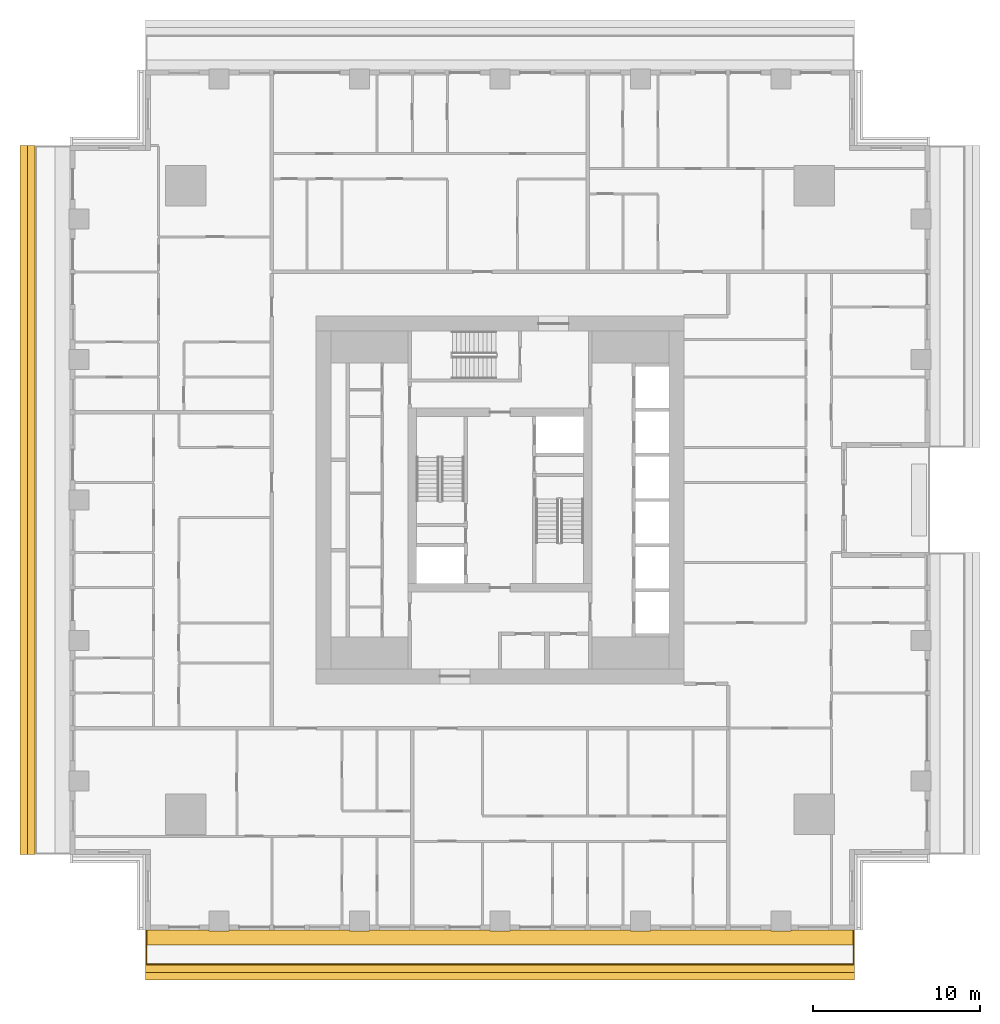
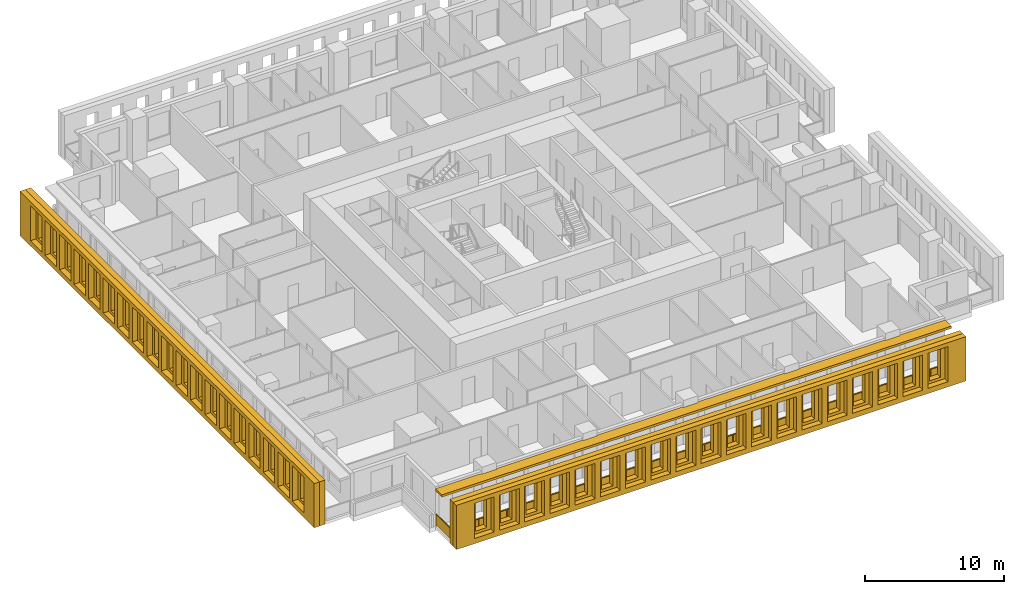
# One storey, part 12 of 17: 5 shading devices, 1 railing.
"""IFC4 building model written with IfcOpenShell, lengths in metres."""

from ifc_helpers import new_model, si_unit, direction, frame, origin, origin_2d, place, context, subcontext, project, spatial, polyline, rectangle, outline, extrude, material, layer, layer_set, type_object, element, save


model = new_model("IFC4")

# Units and contexts
model_context = context("Model", 3, precision=1e-05, world=origin(), true_north=direction((0.0, 1.0)))
body_context = subcontext(model_context, "Body", "Model", "MODEL_VIEW")
ifc_project = project(units=[si_unit("LENGTHUNIT", "METRE"), si_unit("AREAUNIT", "SQUARE_METRE"), si_unit("VOLUMEUNIT", "CUBIC_METRE"), si_unit("PLANEANGLEUNIT", "RADIAN"), si_unit("MASSUNIT", "GRAM", prefix="KILO")], contexts=[model_context])

# Site, building, storey
site_placement = place(None, origin())
site = spatial("IfcSite", under=ifc_project, at=site_placement, CompositionType="ELEMENT")
building_placement = place(site_placement, origin())
building = spatial("IfcBuilding", under=site, at=building_placement, Name="Khepri Terraces", CompositionType="ELEMENT")
storey_placement = place(building_placement, frame((0.0, 0.0, 188.39990234375)))
storey = spatial("IfcBuildingStorey", under=building, at=storey_placement, Name="L44", CompositionType="ELEMENT", Elevation=188.39990234375)

# Railing
ifc_material_1 = material(Name="Stainless steel grade 316", Category="steel")
railing_type = type_object("IfcRailingType", Name="GRD-BAL-1100", PredefinedType="GUARDRAIL", material=ifc_material_1)
railing_placement = place(storey_placement, frame((-21.169921875, -25.719970703125, 0.0)))
element("IfcRailing", 1, at=railing_placement, inside=storey, type_object=railing_type, Name="Balcony guard L44 S", PredefinedType="GUARDRAIL", context=body_context, shape_type="SweptSolid", body=[
    extrude(rectangle(XDim=0.050048828125, YDim=0.06005859375, at=origin_2d()), frame((0.0, 0.0, 1.070068359375), z_axis=(0.0, -1.0, 0.0), x_axis=(1.0, 0.0, 0.0)), (0.0, 0.0, 1.0), 2.050048828125),
    extrude(rectangle(XDim=2.0, YDim=0.011962890625, at=origin_2d()), frame((0.0, -1.02490234375, 0.10009765625), z_axis=(0.0, 0.0, 1.0), x_axis=(0.0, -1.0, 0.0)), (0.0, 0.0, 1.0), 0.93994140625),
    extrude(rectangle(XDim=0.050048828125, YDim=0.06005859375, at=origin_2d()), frame((0.0, -2.050048828125, 1.070068359375), z_axis=(1.0, 0.0, 0.0), x_axis=(0.0, 1.0, 0.0)), (0.0, 0.0, 1.0), 42.33984375),
    extrude(rectangle(XDim=2.30224609375, YDim=0.011962890625, at=origin_2d()), frame((1.176025390625, -2.050048828125, 0.10009765625), z_axis=(0.0, 0.0, 1.0), x_axis=(1.0, 0.0, 0.0)), (0.0, 0.0, 1.0), 0.93994140625),
    extrude(rectangle(XDim=2.30224609375, YDim=0.011962890625, at=origin_2d()), frame((3.5283203125, -2.050048828125, 0.10009765625), z_axis=(0.0, 0.0, 1.0), x_axis=(1.0, 0.0, 0.0)), (0.0, 0.0, 1.0), 0.93994140625),
    extrude(rectangle(XDim=2.30224609375, YDim=0.011962890625, at=origin_2d()), frame((5.880615234375, -2.050048828125, 0.10009765625), z_axis=(0.0, 0.0, 1.0), x_axis=(1.0, 0.0, 0.0)), (0.0, 0.0, 1.0), 0.93994140625),
    extrude(rectangle(XDim=2.30224609375, YDim=0.011962890625, at=origin_2d()), frame((8.232666015625, -2.050048828125, 0.10009765625), z_axis=(0.0, 0.0, 1.0), x_axis=(1.0, 0.0, 0.0)), (0.0, 0.0, 1.0), 0.93994140625),
    extrude(rectangle(XDim=2.30224609375, YDim=0.011962890625, at=origin_2d()), frame((10.5849609375, -2.050048828125, 0.10009765625), z_axis=(0.0, 0.0, 1.0), x_axis=(1.0, 0.0, 0.0)), (0.0, 0.0, 1.0), 0.93994140625),
    extrude(rectangle(XDim=2.30224609375, YDim=0.011962890625, at=origin_2d()), frame((12.937255859375, -2.050048828125, 0.10009765625), z_axis=(0.0, 0.0, 1.0), x_axis=(1.0, 0.0, 0.0)), (0.0, 0.0, 1.0), 0.93994140625),
    extrude(rectangle(XDim=2.30224609375, YDim=0.011962890625, at=origin_2d()), frame((15.289306640625, -2.050048828125, 0.10009765625), z_axis=(0.0, 0.0, 1.0), x_axis=(1.0, 0.0, 0.0)), (0.0, 0.0, 1.0), 0.93994140625),
    extrude(rectangle(XDim=2.30224609375, YDim=0.011962890625, at=origin_2d()), frame((17.6416015625, -2.050048828125, 0.10009765625), z_axis=(0.0, 0.0, 1.0), x_axis=(1.0, 0.0, 0.0)), (0.0, 0.0, 1.0), 0.93994140625),
    extrude(rectangle(XDim=2.30224609375, YDim=0.011962890625, at=origin_2d()), frame((19.993896484375, -2.050048828125, 0.10009765625), z_axis=(0.0, 0.0, 1.0), x_axis=(1.0, 0.0, 0.0)), (0.0, 0.0, 1.0), 0.93994140625),
    extrude(rectangle(XDim=2.30224609375, YDim=0.011962890625, at=origin_2d()), frame((22.345947265625, -2.050048828125, 0.10009765625), z_axis=(0.0, 0.0, 1.0), x_axis=(1.0, 0.0, 0.0)), (0.0, 0.0, 1.0), 0.93994140625),
    extrude(rectangle(XDim=2.30224609375, YDim=0.011962890625, at=origin_2d()), frame((24.6982421875, -2.050048828125, 0.10009765625), z_axis=(0.0, 0.0, 1.0), x_axis=(1.0, 0.0, 0.0)), (0.0, 0.0, 1.0), 0.93994140625),
    extrude(rectangle(XDim=2.30224609375, YDim=0.011962890625, at=origin_2d()), frame((27.050537109375, -2.050048828125, 0.10009765625), z_axis=(0.0, 0.0, 1.0), x_axis=(1.0, 0.0, 0.0)), (0.0, 0.0, 1.0), 0.93994140625),
    extrude(rectangle(XDim=2.30224609375, YDim=0.011962890625, at=origin_2d()), frame((29.402587890625, -2.050048828125, 0.10009765625), z_axis=(0.0, 0.0, 1.0), x_axis=(1.0, 0.0, 0.0)), (0.0, 0.0, 1.0), 0.93994140625),
    extrude(rectangle(XDim=2.30224609375, YDim=0.011962890625, at=origin_2d()), frame((31.7548828125, -2.050048828125, 0.10009765625), z_axis=(0.0, 0.0, 1.0), x_axis=(1.0, 0.0, 0.0)), (0.0, 0.0, 1.0), 0.93994140625),
    extrude(rectangle(XDim=2.30224609375, YDim=0.011962890625, at=origin_2d()), frame((34.107177734375, -2.050048828125, 0.10009765625), z_axis=(0.0, 0.0, 1.0), x_axis=(1.0, 0.0, 0.0)), (0.0, 0.0, 1.0), 0.93994140625),
    extrude(rectangle(XDim=2.30224609375, YDim=0.011962890625, at=origin_2d()), frame((36.459228515625, -2.050048828125, 0.10009765625), z_axis=(0.0, 0.0, 1.0), x_axis=(1.0, 0.0, 0.0)), (0.0, 0.0, 1.0), 0.93994140625),
    extrude(rectangle(XDim=2.30224609375, YDim=0.011962890625, at=origin_2d()), frame((38.8115234375, -2.050048828125, 0.10009765625), z_axis=(0.0, 0.0, 1.0), x_axis=(1.0, 0.0, 0.0)), (0.0, 0.0, 1.0), 0.93994140625),
    extrude(rectangle(XDim=2.30224609375, YDim=0.011962890625, at=origin_2d()), frame((41.163818359375, -2.050048828125, 0.10009765625), z_axis=(0.0, 0.0, 1.0), x_axis=(1.0, 0.0, 0.0)), (0.0, 0.0, 1.0), 0.93994140625),
    extrude(rectangle(XDim=0.050048828125, YDim=0.06005859375, at=origin_2d()), frame((42.33984375, -2.050048828125, 1.070068359375), z_axis=(0.0, 1.0, 0.0), x_axis=(-1.0, 0.0, 0.0)), (0.0, 0.0, 1.0), 2.050048828125),
    extrude(rectangle(XDim=2.0, YDim=0.011962890625, at=origin_2d()), frame((42.33984375, -1.02490234375, 0.10009765625), z_axis=(0.0, 0.0, 1.0), x_axis=(0.0, 1.0, 0.0)), (0.0, 0.0, 1.0), 0.93994140625),
    extrude(rectangle(XDim=0.050048828125, YDim=0.050048828125, at=origin_2d()), origin(), (0.0, 0.0, 1.0), 1.0400390625),
    extrude(rectangle(XDim=0.050048828125, YDim=0.050048828125, at=origin_2d()), frame((0.0, -2.050048828125, 0.0)), (0.0, 0.0, 1.0), 1.0400390625),
    extrude(rectangle(XDim=0.050048828125, YDim=0.050048828125, at=origin_2d()), frame((2.352294921875, -2.050048828125, 0.0)), (0.0, 0.0, 1.0), 1.0400390625),
    extrude(rectangle(XDim=0.050048828125, YDim=0.050048828125, at=origin_2d()), frame((4.704345703125, -2.050048828125, 0.0)), (0.0, 0.0, 1.0), 1.0400390625),
    extrude(rectangle(XDim=0.050048828125, YDim=0.050048828125, at=origin_2d()), frame((7.056640625, -2.050048828125, 0.0)), (0.0, 0.0, 1.0), 1.0400390625),
    extrude(rectangle(XDim=0.050048828125, YDim=0.050048828125, at=origin_2d()), frame((9.408935546875, -2.050048828125, 0.0)), (0.0, 0.0, 1.0), 1.0400390625),
    extrude(rectangle(XDim=0.050048828125, YDim=0.050048828125, at=origin_2d()), frame((11.760986328125, -2.050048828125, 0.0)), (0.0, 0.0, 1.0), 1.0400390625),
    extrude(rectangle(XDim=0.050048828125, YDim=0.050048828125, at=origin_2d()), frame((14.11328125, -2.050048828125, 0.0)), (0.0, 0.0, 1.0), 1.0400390625),
    extrude(rectangle(XDim=0.050048828125, YDim=0.050048828125, at=origin_2d()), frame((16.465576171875, -2.050048828125, 0.0)), (0.0, 0.0, 1.0), 1.0400390625),
    extrude(rectangle(XDim=0.050048828125, YDim=0.050048828125, at=origin_2d()), frame((18.817626953125, -2.050048828125, 0.0)), (0.0, 0.0, 1.0), 1.0400390625),
    extrude(rectangle(XDim=0.050048828125, YDim=0.050048828125, at=origin_2d()), frame((21.169921875, -2.050048828125, 0.0)), (0.0, 0.0, 1.0), 1.0400390625),
    extrude(rectangle(XDim=0.050048828125, YDim=0.050048828125, at=origin_2d()), frame((23.522216796875, -2.050048828125, 0.0)), (0.0, 0.0, 1.0), 1.0400390625),
    extrude(rectangle(XDim=0.050048828125, YDim=0.050048828125, at=origin_2d()), frame((25.874267578125, -2.050048828125, 0.0)), (0.0, 0.0, 1.0), 1.0400390625),
    extrude(rectangle(XDim=0.050048828125, YDim=0.050048828125, at=origin_2d()), frame((28.2265625, -2.050048828125, 0.0)), (0.0, 0.0, 1.0), 1.0400390625),
    extrude(rectangle(XDim=0.050048828125, YDim=0.050048828125, at=origin_2d()), frame((30.578857421875, -2.050048828125, 0.0)), (0.0, 0.0, 1.0), 1.0400390625),
    extrude(rectangle(XDim=0.050048828125, YDim=0.050048828125, at=origin_2d()), frame((32.930908203125, -2.050048828125, 0.0)), (0.0, 0.0, 1.0), 1.0400390625),
    extrude(rectangle(XDim=0.050048828125, YDim=0.050048828125, at=origin_2d()), frame((35.283203125, -2.050048828125, 0.0)), (0.0, 0.0, 1.0), 1.0400390625),
    extrude(rectangle(XDim=0.050048828125, YDim=0.050048828125, at=origin_2d()), frame((37.635498046875, -2.050048828125, 0.0)), (0.0, 0.0, 1.0), 1.0400390625),
    extrude(rectangle(XDim=0.050048828125, YDim=0.050048828125, at=origin_2d()), frame((39.987548828125, -2.050048828125, 0.0)), (0.0, 0.0, 1.0), 1.0400390625),
    extrude(rectangle(XDim=0.050048828125, YDim=0.050048828125, at=origin_2d()), frame((42.33984375, -2.050048828125, 0.0)), (0.0, 0.0, 1.0), 1.0400390625),
    extrude(rectangle(XDim=0.050048828125, YDim=0.050048828125, at=origin_2d()), frame((42.33984375, 0.0, 0.0)), (0.0, 0.0, 1.0), 1.0400390625),
])

# Shading devices
ifc_material_2 = material(Name="Precast concrete C50/60 warm stone", Category="masonry")
shading_device_type_1 = type_object("IfcShadingDeviceType", Name="SCR-CELL-INNER-450", PredefinedType="USERDEFINED", material=ifc_material_2)
shading_device_1_placement = place(storey_placement, frame((-21.219970703125, -27.820068359375, -0.25), z_axis=(0.0, -1.0, 0.0), x_axis=(1.0, 0.0, 0.0)))
element("IfcShadingDevice", 2, at=shading_device_1_placement, inside=storey, type_object=shading_device_type_1, Name="Cell screen L44 S in", ObjectType="SCREEN", PredefinedType="USERDEFINED", context=body_context, shape_type="SweptSolid", body=[
    extrude(outline(polyline([(0.0, 0.0), (42.43994140625, 0.0), (42.43994140625, 3.89990234375), (0.0, 3.89990234375), (0.0, 0.0)]), holes=[polyline([(1.847412109375, 0.699951171875), (2.79248046875, 0.699951171875), (2.79248046875, 3.300048828125), (1.847412109375, 3.300048828125), (1.847412109375, 0.699951171875)]), polyline([(3.947509765625, 0.699951171875), (4.892578125, 0.699951171875), (4.892578125, 3.300048828125), (3.947509765625, 3.300048828125), (3.947509765625, 0.699951171875)]), polyline([(6.047607421875, 0.699951171875), (6.992431640625, 0.699951171875), (6.992431640625, 3.300048828125), (6.047607421875, 3.300048828125), (6.047607421875, 0.699951171875)]), polyline([(8.1474609375, 0.699951171875), (9.092529296875, 0.699951171875), (9.092529296875, 3.300048828125), (8.1474609375, 3.300048828125), (8.1474609375, 0.699951171875)]), polyline([(10.24755859375, 0.699951171875), (11.1923828125, 0.699951171875), (11.1923828125, 3.300048828125), (10.24755859375, 3.300048828125), (10.24755859375, 0.699951171875)]), polyline([(12.347412109375, 0.699951171875), (13.29248046875, 0.699951171875), (13.29248046875, 3.300048828125), (12.347412109375, 3.300048828125), (12.347412109375, 0.699951171875)]), polyline([(14.447509765625, 0.699951171875), (15.392578125, 0.699951171875), (15.392578125, 3.300048828125), (14.447509765625, 3.300048828125), (14.447509765625, 0.699951171875)]), polyline([(16.547607421875, 0.699951171875), (17.492431640625, 0.699951171875), (17.492431640625, 3.300048828125), (16.547607421875, 3.300048828125), (16.547607421875, 0.699951171875)]), polyline([(18.6474609375, 0.699951171875), (19.592529296875, 0.699951171875), (19.592529296875, 3.300048828125), (18.6474609375, 3.300048828125), (18.6474609375, 0.699951171875)]), polyline([(20.74755859375, 0.699951171875), (21.6923828125, 0.699951171875), (21.6923828125, 3.300048828125), (20.74755859375, 3.300048828125), (20.74755859375, 0.699951171875)]), polyline([(22.847412109375, 0.699951171875), (23.79248046875, 0.699951171875), (23.79248046875, 3.300048828125), (22.847412109375, 3.300048828125), (22.847412109375, 0.699951171875)]), polyline([(24.947509765625, 0.699951171875), (25.892578125, 0.699951171875), (25.892578125, 3.300048828125), (24.947509765625, 3.300048828125), (24.947509765625, 0.699951171875)]), polyline([(27.047607421875, 0.699951171875), (27.992431640625, 0.699951171875), (27.992431640625, 3.300048828125), (27.047607421875, 3.300048828125), (27.047607421875, 0.699951171875)]), polyline([(29.1474609375, 0.699951171875), (30.092529296875, 0.699951171875), (30.092529296875, 3.300048828125), (29.1474609375, 3.300048828125), (29.1474609375, 0.699951171875)]), polyline([(31.24755859375, 0.699951171875), (32.1923828125, 0.699951171875), (32.1923828125, 3.300048828125), (31.24755859375, 3.300048828125), (31.24755859375, 0.699951171875)]), polyline([(33.347412109375, 0.699951171875), (34.29248046875, 0.699951171875), (34.29248046875, 3.300048828125), (33.347412109375, 3.300048828125), (33.347412109375, 0.699951171875)]), polyline([(35.447509765625, 0.699951171875), (36.392578125, 0.699951171875), (36.392578125, 3.300048828125), (35.447509765625, 3.300048828125), (35.447509765625, 0.699951171875)]), polyline([(37.547607421875, 0.699951171875), (38.492431640625, 0.699951171875), (38.492431640625, 3.300048828125), (37.547607421875, 3.300048828125), (37.547607421875, 0.699951171875)]), polyline([(39.6474609375, 0.699951171875), (40.592529296875, 0.699951171875), (40.592529296875, 3.300048828125), (39.6474609375, 3.300048828125), (39.6474609375, 0.699951171875)])]), origin(), (0.0, 0.0, 1.0), 0.449951171875),
])
shading_device_2_placement = place(storey_placement, frame((-27.820068359375, 21.219970703125, -0.25), z_axis=(-1.0, 0.0, 0.0), x_axis=(0.0, -1.0, 0.0)))
element("IfcShadingDevice", 3, at=shading_device_2_placement, inside=storey, type_object=shading_device_type_1, Name="Cell screen L44 W in", ObjectType="SCREEN", PredefinedType="USERDEFINED", context=body_context, shape_type="SweptSolid", body=[
    extrude(outline(polyline([(0.0, 0.0), (42.43994140625, 0.0), (42.43994140625, 3.89990234375), (0.0, 3.89990234375), (0.0, 0.0)]), holes=[polyline([(1.847412109375, 0.699951171875), (2.79248046875, 0.699951171875), (2.79248046875, 3.300048828125), (1.847412109375, 3.300048828125), (1.847412109375, 0.699951171875)]), polyline([(3.947509765625, 0.699951171875), (4.892578125, 0.699951171875), (4.892578125, 3.300048828125), (3.947509765625, 3.300048828125), (3.947509765625, 0.699951171875)]), polyline([(6.047607421875, 0.699951171875), (6.992431640625, 0.699951171875), (6.992431640625, 3.300048828125), (6.047607421875, 3.300048828125), (6.047607421875, 0.699951171875)]), polyline([(8.1474609375, 0.699951171875), (9.092529296875, 0.699951171875), (9.092529296875, 3.300048828125), (8.1474609375, 3.300048828125), (8.1474609375, 0.699951171875)]), polyline([(10.24755859375, 0.699951171875), (11.1923828125, 0.699951171875), (11.1923828125, 3.300048828125), (10.24755859375, 3.300048828125), (10.24755859375, 0.699951171875)]), polyline([(12.347412109375, 0.699951171875), (13.29248046875, 0.699951171875), (13.29248046875, 3.300048828125), (12.347412109375, 3.300048828125), (12.347412109375, 0.699951171875)]), polyline([(14.447509765625, 0.699951171875), (15.392578125, 0.699951171875), (15.392578125, 3.300048828125), (14.447509765625, 3.300048828125), (14.447509765625, 0.699951171875)]), polyline([(16.547607421875, 0.699951171875), (17.492431640625, 0.699951171875), (17.492431640625, 3.300048828125), (16.547607421875, 3.300048828125), (16.547607421875, 0.699951171875)]), polyline([(18.6474609375, 0.699951171875), (19.592529296875, 0.699951171875), (19.592529296875, 3.300048828125), (18.6474609375, 3.300048828125), (18.6474609375, 0.699951171875)]), polyline([(20.74755859375, 0.699951171875), (21.6923828125, 0.699951171875), (21.6923828125, 3.300048828125), (20.74755859375, 3.300048828125), (20.74755859375, 0.699951171875)]), polyline([(22.847412109375, 0.699951171875), (23.79248046875, 0.699951171875), (23.79248046875, 3.300048828125), (22.847412109375, 3.300048828125), (22.847412109375, 0.699951171875)]), polyline([(24.947509765625, 0.699951171875), (25.892578125, 0.699951171875), (25.892578125, 3.300048828125), (24.947509765625, 3.300048828125), (24.947509765625, 0.699951171875)]), polyline([(27.047607421875, 0.699951171875), (27.992431640625, 0.699951171875), (27.992431640625, 3.300048828125), (27.047607421875, 3.300048828125), (27.047607421875, 0.699951171875)]), polyline([(29.1474609375, 0.699951171875), (30.092529296875, 0.699951171875), (30.092529296875, 3.300048828125), (29.1474609375, 3.300048828125), (29.1474609375, 0.699951171875)]), polyline([(31.24755859375, 0.699951171875), (32.1923828125, 0.699951171875), (32.1923828125, 3.300048828125), (31.24755859375, 3.300048828125), (31.24755859375, 0.699951171875)]), polyline([(33.347412109375, 0.699951171875), (34.29248046875, 0.699951171875), (34.29248046875, 3.300048828125), (33.347412109375, 3.300048828125), (33.347412109375, 0.699951171875)]), polyline([(35.447509765625, 0.699951171875), (36.392578125, 0.699951171875), (36.392578125, 3.300048828125), (35.447509765625, 3.300048828125), (35.447509765625, 0.699951171875)]), polyline([(37.547607421875, 0.699951171875), (38.492431640625, 0.699951171875), (38.492431640625, 3.300048828125), (37.547607421875, 3.300048828125), (37.547607421875, 0.699951171875)]), polyline([(39.6474609375, 0.699951171875), (40.592529296875, 0.699951171875), (40.592529296875, 3.300048828125), (39.6474609375, 3.300048828125), (39.6474609375, 0.699951171875)])]), origin(), (0.0, 0.0, 1.0), 0.449951171875),
])
shading_device_type_2 = type_object("IfcShadingDeviceType", Name="SCR-CELL-OUTER-450", PredefinedType="USERDEFINED", material=ifc_material_2)
shading_device_3_placement = place(storey_placement, frame((-21.219970703125, -28.27001953125, -0.25), z_axis=(0.0, -1.0, 0.0), x_axis=(1.0, 0.0, 0.0)))
element("IfcShadingDevice", 4, at=shading_device_3_placement, inside=storey, type_object=shading_device_type_2, Name="Cell screen L44 S out", ObjectType="SCREEN", PredefinedType="USERDEFINED", context=body_context, shape_type="SweptSolid", body=[
    extrude(outline(polyline([(0.0, 0.0), (42.43994140625, 0.0), (42.43994140625, 3.89990234375), (0.0, 3.89990234375), (0.0, 0.0)]), holes=[polyline([(1.49755859375, 0.449951171875), (3.142578125, 0.449951171875), (3.142578125, 3.550048828125), (1.49755859375, 3.550048828125), (1.49755859375, 0.449951171875)]), polyline([(3.597412109375, 0.449951171875), (5.242431640625, 0.449951171875), (5.242431640625, 3.550048828125), (3.597412109375, 3.550048828125), (3.597412109375, 0.449951171875)]), polyline([(5.697509765625, 0.449951171875), (7.342529296875, 0.449951171875), (7.342529296875, 3.550048828125), (5.697509765625, 3.550048828125), (5.697509765625, 0.449951171875)]), polyline([(7.797607421875, 0.449951171875), (9.4423828125, 0.449951171875), (9.4423828125, 3.550048828125), (7.797607421875, 3.550048828125), (7.797607421875, 0.449951171875)]), polyline([(9.8974609375, 0.449951171875), (11.54248046875, 0.449951171875), (11.54248046875, 3.550048828125), (9.8974609375, 3.550048828125), (9.8974609375, 0.449951171875)]), polyline([(11.99755859375, 0.449951171875), (13.642578125, 0.449951171875), (13.642578125, 3.550048828125), (11.99755859375, 3.550048828125), (11.99755859375, 0.449951171875)]), polyline([(14.097412109375, 0.449951171875), (15.742431640625, 0.449951171875), (15.742431640625, 3.550048828125), (14.097412109375, 3.550048828125), (14.097412109375, 0.449951171875)]), polyline([(16.197509765625, 0.449951171875), (17.842529296875, 0.449951171875), (17.842529296875, 3.550048828125), (16.197509765625, 3.550048828125), (16.197509765625, 0.449951171875)]), polyline([(18.297607421875, 0.449951171875), (19.9423828125, 0.449951171875), (19.9423828125, 3.550048828125), (18.297607421875, 3.550048828125), (18.297607421875, 0.449951171875)]), polyline([(20.3974609375, 0.449951171875), (22.04248046875, 0.449951171875), (22.04248046875, 3.550048828125), (20.3974609375, 3.550048828125), (20.3974609375, 0.449951171875)]), polyline([(22.49755859375, 0.449951171875), (24.142578125, 0.449951171875), (24.142578125, 3.550048828125), (22.49755859375, 3.550048828125), (22.49755859375, 0.449951171875)]), polyline([(24.597412109375, 0.449951171875), (26.242431640625, 0.449951171875), (26.242431640625, 3.550048828125), (24.597412109375, 3.550048828125), (24.597412109375, 0.449951171875)]), polyline([(26.697509765625, 0.449951171875), (28.342529296875, 0.449951171875), (28.342529296875, 3.550048828125), (26.697509765625, 3.550048828125), (26.697509765625, 0.449951171875)]), polyline([(28.797607421875, 0.449951171875), (30.4423828125, 0.449951171875), (30.4423828125, 3.550048828125), (28.797607421875, 3.550048828125), (28.797607421875, 0.449951171875)]), polyline([(30.8974609375, 0.449951171875), (32.54248046875, 0.449951171875), (32.54248046875, 3.550048828125), (30.8974609375, 3.550048828125), (30.8974609375, 0.449951171875)]), polyline([(32.99755859375, 0.449951171875), (34.642578125, 0.449951171875), (34.642578125, 3.550048828125), (32.99755859375, 3.550048828125), (32.99755859375, 0.449951171875)]), polyline([(35.097412109375, 0.449951171875), (36.742431640625, 0.449951171875), (36.742431640625, 3.550048828125), (35.097412109375, 3.550048828125), (35.097412109375, 0.449951171875)]), polyline([(37.197509765625, 0.449951171875), (38.842529296875, 0.449951171875), (38.842529296875, 3.550048828125), (37.197509765625, 3.550048828125), (37.197509765625, 0.449951171875)]), polyline([(39.297607421875, 0.449951171875), (40.9423828125, 0.449951171875), (40.9423828125, 3.550048828125), (39.297607421875, 3.550048828125), (39.297607421875, 0.449951171875)])]), origin(), (0.0, 0.0, 1.0), 0.449951171875),
])
shading_device_4_placement = place(storey_placement, frame((-28.27001953125, 21.219970703125, -0.25), z_axis=(-1.0, 0.0, 0.0), x_axis=(0.0, -1.0, 0.0)))
element("IfcShadingDevice", 5, at=shading_device_4_placement, inside=storey, type_object=shading_device_type_2, Name="Cell screen L44 W out", ObjectType="SCREEN", PredefinedType="USERDEFINED", context=body_context, shape_type="SweptSolid", body=[
    extrude(outline(polyline([(0.0, 0.0), (42.43994140625, 0.0), (42.43994140625, 3.89990234375), (0.0, 3.89990234375), (0.0, 0.0)]), holes=[polyline([(1.49755859375, 0.449951171875), (3.142578125, 0.449951171875), (3.142578125, 3.550048828125), (1.49755859375, 3.550048828125), (1.49755859375, 0.449951171875)]), polyline([(3.597412109375, 0.449951171875), (5.242431640625, 0.449951171875), (5.242431640625, 3.550048828125), (3.597412109375, 3.550048828125), (3.597412109375, 0.449951171875)]), polyline([(5.697509765625, 0.449951171875), (7.342529296875, 0.449951171875), (7.342529296875, 3.550048828125), (5.697509765625, 3.550048828125), (5.697509765625, 0.449951171875)]), polyline([(7.797607421875, 0.449951171875), (9.4423828125, 0.449951171875), (9.4423828125, 3.550048828125), (7.797607421875, 3.550048828125), (7.797607421875, 0.449951171875)]), polyline([(9.8974609375, 0.449951171875), (11.54248046875, 0.449951171875), (11.54248046875, 3.550048828125), (9.8974609375, 3.550048828125), (9.8974609375, 0.449951171875)]), polyline([(11.99755859375, 0.449951171875), (13.642578125, 0.449951171875), (13.642578125, 3.550048828125), (11.99755859375, 3.550048828125), (11.99755859375, 0.449951171875)]), polyline([(14.097412109375, 0.449951171875), (15.742431640625, 0.449951171875), (15.742431640625, 3.550048828125), (14.097412109375, 3.550048828125), (14.097412109375, 0.449951171875)]), polyline([(16.197509765625, 0.449951171875), (17.842529296875, 0.449951171875), (17.842529296875, 3.550048828125), (16.197509765625, 3.550048828125), (16.197509765625, 0.449951171875)]), polyline([(18.297607421875, 0.449951171875), (19.9423828125, 0.449951171875), (19.9423828125, 3.550048828125), (18.297607421875, 3.550048828125), (18.297607421875, 0.449951171875)]), polyline([(20.3974609375, 0.449951171875), (22.04248046875, 0.449951171875), (22.04248046875, 3.550048828125), (20.3974609375, 3.550048828125), (20.3974609375, 0.449951171875)]), polyline([(22.49755859375, 0.449951171875), (24.142578125, 0.449951171875), (24.142578125, 3.550048828125), (22.49755859375, 3.550048828125), (22.49755859375, 0.449951171875)]), polyline([(24.597412109375, 0.449951171875), (26.242431640625, 0.449951171875), (26.242431640625, 3.550048828125), (24.597412109375, 3.550048828125), (24.597412109375, 0.449951171875)]), polyline([(26.697509765625, 0.449951171875), (28.342529296875, 0.449951171875), (28.342529296875, 3.550048828125), (26.697509765625, 3.550048828125), (26.697509765625, 0.449951171875)]), polyline([(28.797607421875, 0.449951171875), (30.4423828125, 0.449951171875), (30.4423828125, 3.550048828125), (28.797607421875, 3.550048828125), (28.797607421875, 0.449951171875)]), polyline([(30.8974609375, 0.449951171875), (32.54248046875, 0.449951171875), (32.54248046875, 3.550048828125), (30.8974609375, 3.550048828125), (30.8974609375, 0.449951171875)]), polyline([(32.99755859375, 0.449951171875), (34.642578125, 0.449951171875), (34.642578125, 3.550048828125), (32.99755859375, 3.550048828125), (32.99755859375, 0.449951171875)]), polyline([(35.097412109375, 0.449951171875), (36.742431640625, 0.449951171875), (36.742431640625, 3.550048828125), (35.097412109375, 3.550048828125), (35.097412109375, 0.449951171875)]), polyline([(37.197509765625, 0.449951171875), (38.842529296875, 0.449951171875), (38.842529296875, 3.550048828125), (37.197509765625, 3.550048828125), (37.197509765625, 0.449951171875)]), polyline([(39.297607421875, 0.449951171875), (40.9423828125, 0.449951171875), (40.9423828125, 3.550048828125), (39.297607421875, 3.550048828125), (39.297607421875, 0.449951171875)])]), origin(), (0.0, 0.0, 1.0), 0.449951171875),
])
ifc_layer = layer(ifc_material_2, 0.199951171875, Name="Precast concrete C50/60 warm stone", Category="masonry")
ifc_layer_set = layer_set([ifc_layer], Name="Precast concrete C50/60 warm stone")
shading_device_type_3 = type_object("IfcShadingDeviceType", Name="SSH-BAND-STONE-200", PredefinedType="USERDEFINED", material=ifc_layer_set)
shading_device_5_placement = place(storey_placement, frame((0.0, 0.0, 3.10009765625)))
element("IfcShadingDevice", 6, at=shading_device_5_placement, inside=storey, type_object=shading_device_type_3, Name="Sunshade band L44 S", ObjectType="SUNSHADE", PredefinedType="USERDEFINED", context=body_context, shape_type="SweptSolid", body=[
    extrude(outline(polyline([(-17.39990234375, -25.719970703125), (-21.219970703125, -25.719970703125), (-21.219970703125, -26.6201171875), (21.219970703125, -26.6201171875), (21.219970703125, -25.719970703125), (17.39990234375, -25.719970703125), (17.39990234375, -25.800048828125), (16.199951171875, -25.800048828125), (16.199951171875, -25.719970703125), (9.0, -25.719970703125), (9.0, -25.800048828125), (7.800048828125, -25.800048828125), (7.800048828125, -25.719970703125), (0.60009765625, -25.719970703125), (0.60009765625, -25.800048828125), (-0.60009765625, -25.800048828125), (-0.60009765625, -25.719970703125), (-7.800048828125, -25.719970703125), (-7.800048828125, -25.800048828125), (-9.0, -25.800048828125), (-9.0, -25.719970703125), (-16.199951171875, -25.719970703125), (-16.199951171875, -25.800048828125), (-17.39990234375, -25.800048828125), (-17.39990234375, -25.719970703125)])), origin(), (0.0, 0.0, 1.0), 0.199951171875),
])

save(model, "model.ifc")
